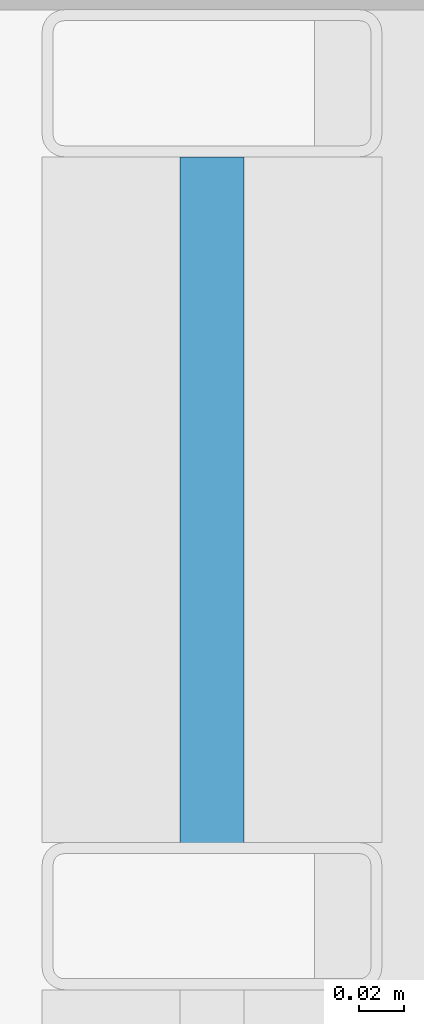
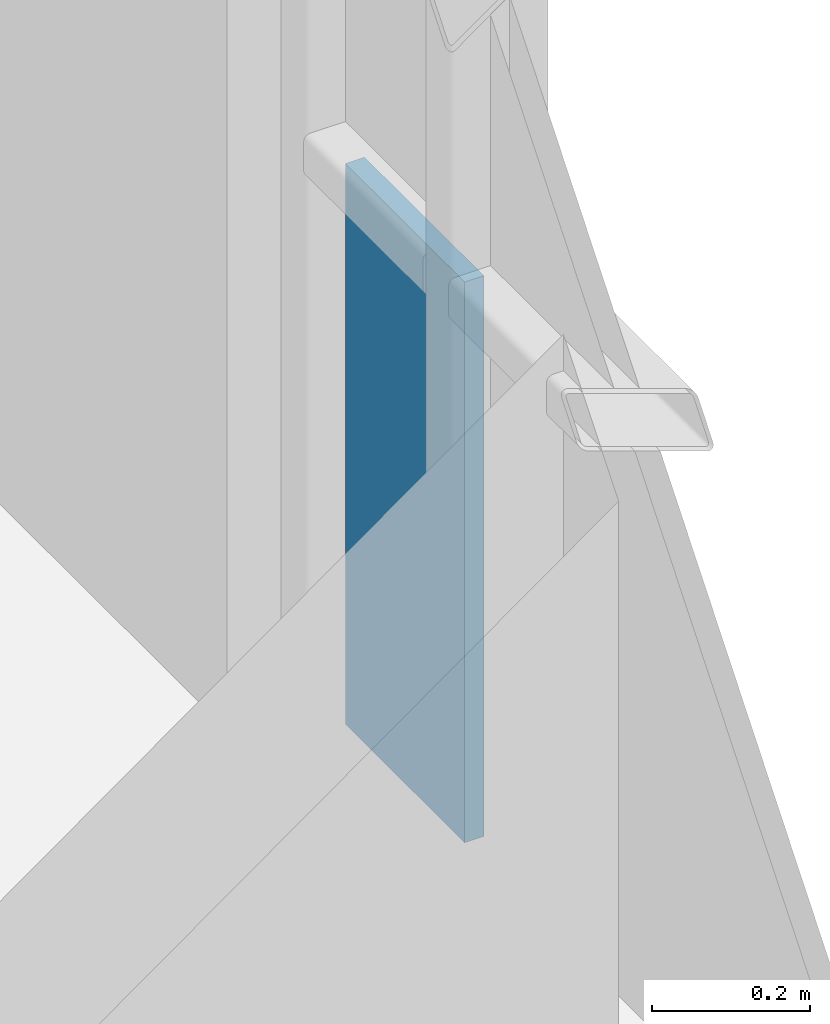
# One storey, part 32 of 41: 1 plate, 1 element without a shape of its own.
"""IFC4 building model written with IfcOpenShell, lengths in metres."""

from ifc_helpers import new_model, si_unit, direction, frame, origin, origin_2d, place, context, subcontext, project, spatial, rectangle, extrude, material, layer, layer_set, type_object, element, aggregate, save


model = new_model("IFC4")

# Units and contexts
model_context = context("Model", 3, precision=1e-05, world=origin(), true_north=direction((0.0, 1.0)))
body_context = subcontext(model_context, "Body", "Model", "MODEL_VIEW")
ifc_project = project(units=[si_unit("LENGTHUNIT", "METRE"), si_unit("AREAUNIT", "SQUARE_METRE"), si_unit("VOLUMEUNIT", "CUBIC_METRE"), si_unit("PLANEANGLEUNIT", "RADIAN"), si_unit("MASSUNIT", "GRAM", prefix="KILO")], contexts=[model_context])

# Site, building, storey
site_placement = place(None, origin())
site = spatial("IfcSite", under=ifc_project, at=site_placement, CompositionType="ELEMENT")
building_placement = place(site_placement, origin())
building = spatial("IfcBuilding", under=site, at=building_placement, Name="Brevholm Reach", CompositionType="ELEMENT")
storey_placement = place(building_placement, frame((0.0, 0.0, 163.5)))
storey = spatial("IfcBuildingStorey", under=building, at=storey_placement, Name="L49", CompositionType="ELEMENT", Elevation=163.5)

# Curtain wall, plate
ifc_material_1 = material(Name="Dark Anodised Aluminium 6063-T6 and Solar-Control Glass", Category="aluminium")
ifc_layer_1 = layer(ifc_material_1, 0.14990234375)
ifc_layer_set_1 = layer_set([ifc_layer_1], Name="Dark Anodised Aluminium 6063-T6 and Solar-Control Glass")
curtain_wall_type = type_object("IfcCurtainWallType", Name="CW-01", PredefinedType="NOTDEFINED", material=ifc_layer_set_1)
curtain_wall_placement = place(storey_placement, origin())
curtain_wall = element("IfcCurtainWall", 1, at=curtain_wall_placement, inside=storey, type_object=curtain_wall_type, Name="L49 Curtain Wall CW-01", PredefinedType="NOTDEFINED")
ifc_material_2 = material(Name="Dark Solar-Control Double-Glazed IGU Glass", Category="glass")
ifc_layer_2 = layer(ifc_material_2, 0.028076171875)
ifc_layer_set_2 = layer_set([ifc_layer_2], Name="Dark Solar-Control Double-Glazed IGU Glass")
plate_type = type_object("IfcPlateType", Name="CWP-GLZ-28", PredefinedType="CURTAIN_PANEL", material=ifc_layer_set_2)
plate_placement = place(storey_placement, frame((59.85009765625, 22.733642578125, 0.0), z_axis=(0.0, 0.0, 1.0), x_axis=(0.0, 1.0, 0.0)))
plate = element("IfcPlate", 2, at=plate_placement, type_object=plate_type, Name="CP-01 Glazing Panel 5.1", PredefinedType="CURTAIN_PANEL", context=body_context, shape_type="SweptSolid", body=[
    extrude(rectangle(XDim=0.302490234375, YDim=0.028076171875, at=origin_2d()), origin(), (0.0, 0.0, 1.0), 0.867431640625),
])
aggregate(curtain_wall, [plate])

save(model, "model.ifc")
